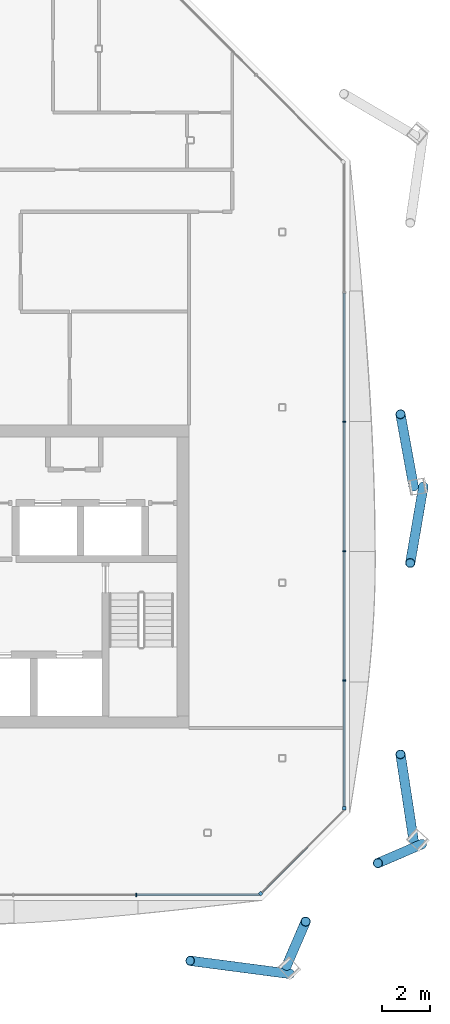
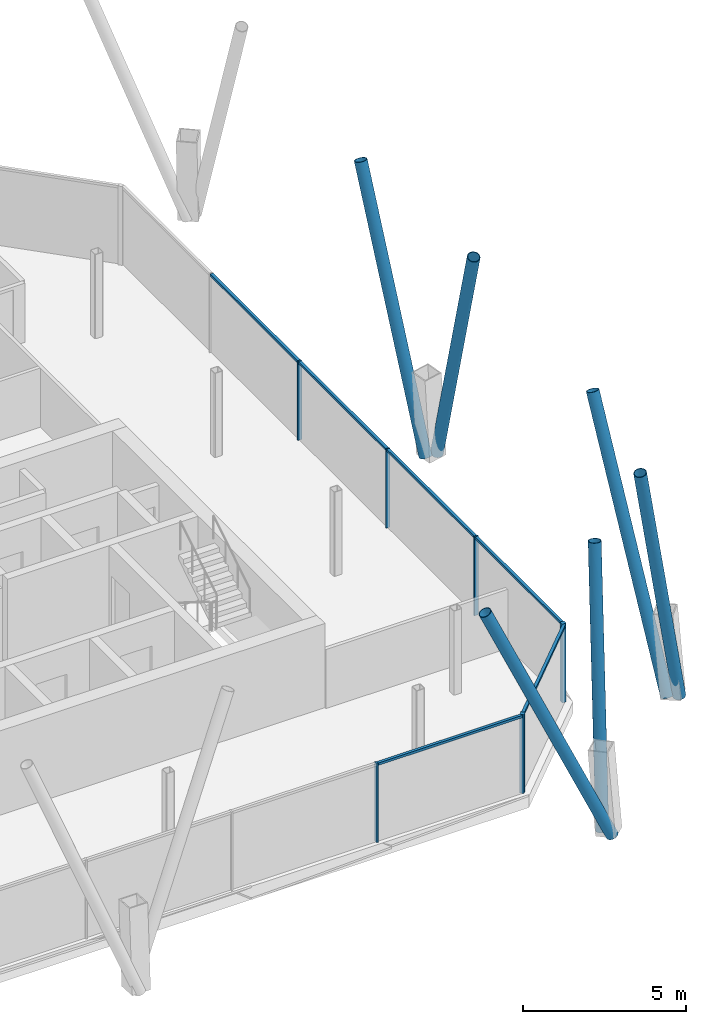
# One storey, part 7 of 18: 18 members, 3 elements without a shape of their own.
"""IFC4 building model written with IfcOpenShell, lengths in metres."""

from ifc_helpers import new_model, si_unit, direction, frame, origin, origin_2d, place, context, subcontext, project, spatial, rectangle, hollow_circle, extrude, material, material_profile, profile_set, type_object, element, aggregate, save


model = new_model("IFC4")

# Units and contexts
model_context = context("Model", 3, precision=1e-05, world=origin(), true_north=direction((0.0, 1.0)))
body_context = subcontext(model_context, "Body", "Model", "MODEL_VIEW")
ifc_project = project(units=[si_unit("LENGTHUNIT", "METRE"), si_unit("AREAUNIT", "SQUARE_METRE"), si_unit("VOLUMEUNIT", "CUBIC_METRE"), si_unit("PLANEANGLEUNIT", "RADIAN"), si_unit("MASSUNIT", "GRAM", prefix="KILO")], contexts=[model_context])

# Site, building, storey
site_placement = place(None, origin())
site = spatial("IfcSite", under=ifc_project, at=site_placement, CompositionType="ELEMENT")
building_placement = place(site_placement, origin())
building = spatial("IfcBuilding", under=site, at=building_placement, Name="Tskaro Facet Tower", CompositionType="ELEMENT")
storey_placement = place(building_placement, frame((0.0, 0.0, 217.199951171875)))
storey = spatial("IfcBuildingStorey", under=building, at=storey_placement, Name="L55", CompositionType="ELEMENT", Elevation=217.199951171875)

# Members
ifc_material_1 = material(Name="Steel S355J2H", Category="steel")
ifc_material_profile_1 = material_profile(ifc_material_1, hollow_circle(Radius=0.203125, WallThickness=0.02001953125, at=origin_2d()), Name="CHS 406.4x20")
ifc_profile_set_1 = profile_set([ifc_material_profile_1], Name="Steel S355J2H")
member_type_1 = type_object("IfcMemberType", Name="CHS 406.4x20 brace", PredefinedType="BRACE", material=ifc_profile_set_1)
member_1_placement = place(storey_placement, frame((13.719970703125, -22.2880859375, 0.0), z_axis=(-0.403950439003, 0.052944616852, 0.913247452981), x_axis=(-0.129955636494, -0.991519809456, 0.0)))
element("IfcMember", 1, at=member_1_placement, inside=storey, type_object=member_type_1, Name="CHS 406.4x20 XB02B/5", PredefinedType="BRACE", context=body_context, shape_type="SweptSolid", body=[
    extrude(hollow_circle(Radius=0.203125, WallThickness=0.02001953125, at=origin_2d()), origin(), (0.0, 0.0, 1.0), 10.34765625),
])
for number, where, z_axis, x_axis, name in (
    (2, (13.576416015625, -21.94140625, 0.0), (0.082110284645, 0.190630309966, 0.978221849111), (-0.918425547164, 0.395593875479, 0.0), "CHS 406.4x20 XB03A/5"),
    (3, (19.228759765625, -16.86376953125, 0.0), (-0.190630309966, -0.082110284645, 0.978221849111), (0.395593875479, -0.918425547164, 0.0), "CHS 406.4x20 XB03B/5"),
):
    element("IfcMember", number, at=place(storey_placement, frame(where, z_axis=z_axis, x_axis=x_axis)), inside=storey, type_object=member_type_1, Name=name, PredefinedType="BRACE", context=body_context, shape_type="SweptSolid", body=[
        extrude(hollow_circle(Radius=0.203125, WallThickness=0.02001953125, at=origin_2d()), origin(), (0.0, 0.0, 1.0), 9.660400390625),
    ])
member_2_placement = place(storey_placement, frame((18.8818359375, -16.719970703125, 0.0), z_axis=(-0.054097273062, 0.356535969811, 0.932714097287), x_axis=(-0.988683991318, -0.15001321712, 0.0)))
element("IfcMember", 4, at=member_2_placement, inside=storey, type_object=member_type_1, Name="CHS 406.4x20 XB04A/5", PredefinedType="BRACE", context=body_context, shape_type="SweptSolid", body=[
    extrude(hollow_circle(Radius=0.203125, WallThickness=0.02001953125, at=origin_2d()), origin(), (0.0, 0.0, 1.0), 10.131591796875),
])
member_3_placement = place(storey_placement, frame((19.2880859375, -1.9130859375, 0.0), z_axis=(-0.054826076437, -0.320380722064, 0.945700953934), x_axis=(0.985671569382, -0.16867589428, 0.0)))
element("IfcMember", 5, at=member_3_placement, inside=storey, type_object=member_type_1, Name="CHS 406.4x20 XB04B/5", PredefinedType="BRACE", context=body_context, shape_type="SweptSolid", body=[
    extrude(hollow_circle(Radius=0.203125, WallThickness=0.02001953125, at=origin_2d()), origin(), (0.0, 0.0, 1.0), 9.992431640625),
])
member_4_placement = place(storey_placement, frame((18.8818359375, -1.9130859375, 0.0), z_axis=(-0.055159346948, 0.30415035896, 0.951025764945), x_axis=(-0.983949932711, -0.178444753125, 0.0)))
element("IfcMember", 6, at=member_4_placement, inside=storey, type_object=member_type_1, Name="CHS 406.4x20 XB05A/5", PredefinedType="BRACE", context=body_context, shape_type="SweptSolid", body=[
    extrude(hollow_circle(Radius=0.203125, WallThickness=0.02001953125, at=origin_2d()), origin(), (0.0, 0.0, 1.0), 9.9365234375),
])

# Curtain wall, member
ifc_material_2 = material(Name="Bronze anodised aluminium 6063-T6", Category="aluminium")
curtain_wall_type = type_object("IfcCurtainWallType", Name="Bronze residence curtain wall (FW3)", PredefinedType="NOTDEFINED", material=ifc_material_2)
curtain_wall_1_placement = place(storey_placement, origin())
curtain_wall_1 = element("IfcCurtainWall", 7, at=curtain_wall_1_placement, inside=storey, type_object=curtain_wall_type, Name="FW3 south-east facet L55", PredefinedType="NOTDEFINED")
ifc_material_profile_2 = material_profile(ifc_material_2, rectangle(XDim=0.139892578125, YDim=0.139892578125, at=origin_2d()), Name="Corner post 140x140")
ifc_profile_set_2 = profile_set([ifc_material_profile_2], Name="Bronze anodised aluminium 6063-T6")
member_type_2 = type_object("IfcMemberType", Name="FW3 bronze corner post 140x140", PredefinedType="MULLION", material=ifc_profile_set_2)
member_5_placement = place(storey_placement, frame((12.484619140625, -18.935546875, 0.0), z_axis=(0.0, 0.0, 1.0), x_axis=(0.707106781187, 0.707106781187, 0.0)))
member_5 = element("IfcMember", 8, at=member_5_placement, type_object=member_type_2, Name="FW3 south-east corner post", PredefinedType="MULLION", context=body_context, shape_type="SweptSolid", body=[
    extrude(rectangle(XDim=0.139892578125, YDim=0.139892578125, at=origin_2d()), origin(), (0.0, 0.0, 1.0), 2.949951171875),
])

curtain_wall_2_placement = place(storey_placement, origin())
curtain_wall_2 = element("IfcCurtainWall", 9, at=curtain_wall_2_placement, inside=storey, type_object=curtain_wall_type, Name="FW3 east facet L55", PredefinedType="NOTDEFINED")
member_6_placement = place(storey_placement, frame((15.985107421875, -15.364990234375, 0.0), z_axis=(0.0, 0.0, 1.0), x_axis=(0.0, 1.0, 0.0)))
member_6 = element("IfcMember", 10, at=member_6_placement, type_object=member_type_2, Name="FW3 east corner post", PredefinedType="MULLION", context=body_context, shape_type="SweptSolid", body=[
    extrude(rectangle(XDim=0.139892578125, YDim=0.139892578125, at=origin_2d()), origin(), (0.0, 0.0, 1.0), 2.949951171875),
])

curtain_wall_3_placement = place(storey_placement, origin())
curtain_wall_3 = element("IfcCurtainWall", 11, at=curtain_wall_3_placement, inside=storey, type_object=curtain_wall_type, Name="FW3 south facet L55", PredefinedType="NOTDEFINED")
ifc_material_profile_3 = material_profile(ifc_material_2, rectangle(XDim=0.050048828125, YDim=0.139892578125, at=origin_2d()), Name="Mullion 50x140")
ifc_profile_set_3 = profile_set([ifc_material_profile_3], Name="Bronze anodised aluminium 6063-T6")
member_type_3 = type_object("IfcMemberType", Name="FW3 bronze mullion 50x140", PredefinedType="MULLION", material=ifc_profile_set_3)
member_7_placement = place(storey_placement, frame((7.2900390625, -18.985107421875, 0.0), z_axis=(0.0, 0.0, 1.0), x_axis=(1.0, 0.0, 0.0)))
member_7 = element("IfcMember", 12, at=member_7_placement, type_object=member_type_3, Name="FW3 south mullion 5", PredefinedType="MULLION", context=body_context, shape_type="SweptSolid", body=[
    extrude(rectangle(XDim=0.050048828125, YDim=0.139892578125, at=origin_2d()), origin(), (0.0, 0.0, 1.0), 2.949951171875),
])

# Member
member_8_placement = place(storey_placement, frame((15.985107421875, -10.026123046875, 0.0), z_axis=(0.0, 0.0, 1.0), x_axis=(0.0, 1.0, 0.0)))
member_8 = element("IfcMember", 13, at=member_8_placement, type_object=member_type_3, Name="FW3 east mullion 1", PredefinedType="MULLION", context=body_context, shape_type="SweptSolid", body=[
    extrude(rectangle(XDim=0.050048828125, YDim=0.139892578125, at=origin_2d()), origin(), (0.0, 0.0, 1.0), 2.949951171875),
])

member_9_placement = place(storey_placement, frame((15.985107421875, -4.617431640625, 0.0), z_axis=(0.0, 0.0, 1.0), x_axis=(0.0, 1.0, 0.0)))
member_9 = element("IfcMember", 14, at=member_9_placement, type_object=member_type_3, Name="FW3 east mullion 2", PredefinedType="MULLION", context=body_context, shape_type="SweptSolid", body=[
    extrude(rectangle(XDim=0.050048828125, YDim=0.139892578125, at=origin_2d()), origin(), (0.0, 0.0, 1.0), 2.949951171875),
])

member_10_placement = place(storey_placement, frame((15.985107421875, 0.79150390625, 0.0), z_axis=(0.0, 0.0, 1.0), x_axis=(0.0, 1.0, 0.0)))
member_10 = element("IfcMember", 15, at=member_10_placement, type_object=member_type_3, Name="FW3 east mullion 3", PredefinedType="MULLION", context=body_context, shape_type="SweptSolid", body=[
    extrude(rectangle(XDim=0.050048828125, YDim=0.139892578125, at=origin_2d()), origin(), (0.0, 0.0, 1.0), 2.949951171875),
])

ifc_material_profile_4 = material_profile(ifc_material_2, rectangle(XDim=0.10009765625, YDim=0.090087890625, at=origin_2d()), Name="Transom 100x90")
ifc_profile_set_4 = profile_set([ifc_material_profile_4], Name="Bronze anodised aluminium 6063-T6")
member_type_4 = type_object("IfcMemberType", Name="FW3 bronze transom 100x90", PredefinedType="USERDEFINED", material=ifc_profile_set_4)
member_11_placement = place(storey_placement, frame((7.31494140625, -18.985107421875, 2.905029296875), z_axis=(1.0, 0.0, 0.0), x_axis=(0.0, 1.0, 0.0)))
member_11 = element("IfcMember", 16, at=member_11_placement, type_object=member_type_4, Name="FW3 south transom 6.1", ObjectType="TRANSOM", PredefinedType="USERDEFINED", context=body_context, shape_type="SweptSolid", body=[
    extrude(rectangle(XDim=0.10009765625, YDim=0.090087890625, at=origin_2d()), origin(), (0.0, 0.0, 1.0), 5.1201171875),
])

aggregate(curtain_wall_3, [member_7, member_11])

member_12_placement = place(storey_placement, frame((12.533935546875, -18.885986328125, 2.905029296875), z_axis=(0.70713179248, 0.707081769008, 0.0), x_axis=(-0.707081769008, 0.70713179248, 0.0)))
member_12 = element("IfcMember", 17, at=member_12_placement, type_object=member_type_4, Name="FW3 south-east transom 1.1", ObjectType="TRANSOM", PredefinedType="USERDEFINED", context=body_context, shape_type="SweptSolid", body=[
    extrude(rectangle(XDim=0.10009765625, YDim=0.090087890625, at=origin_2d()), origin(), (0.0, 0.0, 1.0), 4.880615234375),
])

aggregate(curtain_wall_1, [member_5, member_12])

member_13_placement = place(storey_placement, frame((15.985107421875, -15.294921875, 2.905029296875), z_axis=(0.0, 1.0, 0.0), x_axis=(-1.0, 0.0, 0.0)))
member_13 = element("IfcMember", 18, at=member_13_placement, type_object=member_type_4, Name="FW3 east transom 1.1", ObjectType="TRANSOM", PredefinedType="USERDEFINED", context=body_context, shape_type="SweptSolid", body=[
    extrude(rectangle(XDim=0.10009765625, YDim=0.090087890625, at=origin_2d()), origin(), (0.0, 0.0, 1.0), 5.24365234375),
])

member_14_placement = place(storey_placement, frame((15.985107421875, -10.001220703125, 2.905029296875), z_axis=(0.0, 1.0, 0.0), x_axis=(-1.0, 0.0, 0.0)))
member_14 = element("IfcMember", 19, at=member_14_placement, type_object=member_type_4, Name="FW3 east transom 2.1", ObjectType="TRANSOM", PredefinedType="USERDEFINED", context=body_context, shape_type="SweptSolid", body=[
    extrude(rectangle(XDim=0.10009765625, YDim=0.090087890625, at=origin_2d()), origin(), (0.0, 0.0, 1.0), 5.35888671875),
])

member_15_placement = place(storey_placement, frame((15.985107421875, -4.59228515625, 2.905029296875), z_axis=(0.0, 1.0, 0.0), x_axis=(-1.0, 0.0, 0.0)))
member_15 = element("IfcMember", 20, at=member_15_placement, type_object=member_type_4, Name="FW3 east transom 3.1", ObjectType="TRANSOM", PredefinedType="USERDEFINED", context=body_context, shape_type="SweptSolid", body=[
    extrude(rectangle(XDim=0.10009765625, YDim=0.090087890625, at=origin_2d()), origin(), (0.0, 0.0, 1.0), 5.358642578125),
])

member_16_placement = place(storey_placement, frame((15.985107421875, 0.81640625, 2.905029296875), z_axis=(0.0, 1.0, 0.0), x_axis=(-1.0, 0.0, 0.0)))
member_16 = element("IfcMember", 21, at=member_16_placement, type_object=member_type_4, Name="FW3 east transom 4.1", ObjectType="TRANSOM", PredefinedType="USERDEFINED", context=body_context, shape_type="SweptSolid", body=[
    extrude(rectangle(XDim=0.10009765625, YDim=0.090087890625, at=origin_2d()), origin(), (0.0, 0.0, 1.0), 5.35888671875),
])

aggregate(curtain_wall_2, [member_6, member_8, member_9, member_10, member_13, member_14, member_15, member_16])

save(model, "model.ifc")
